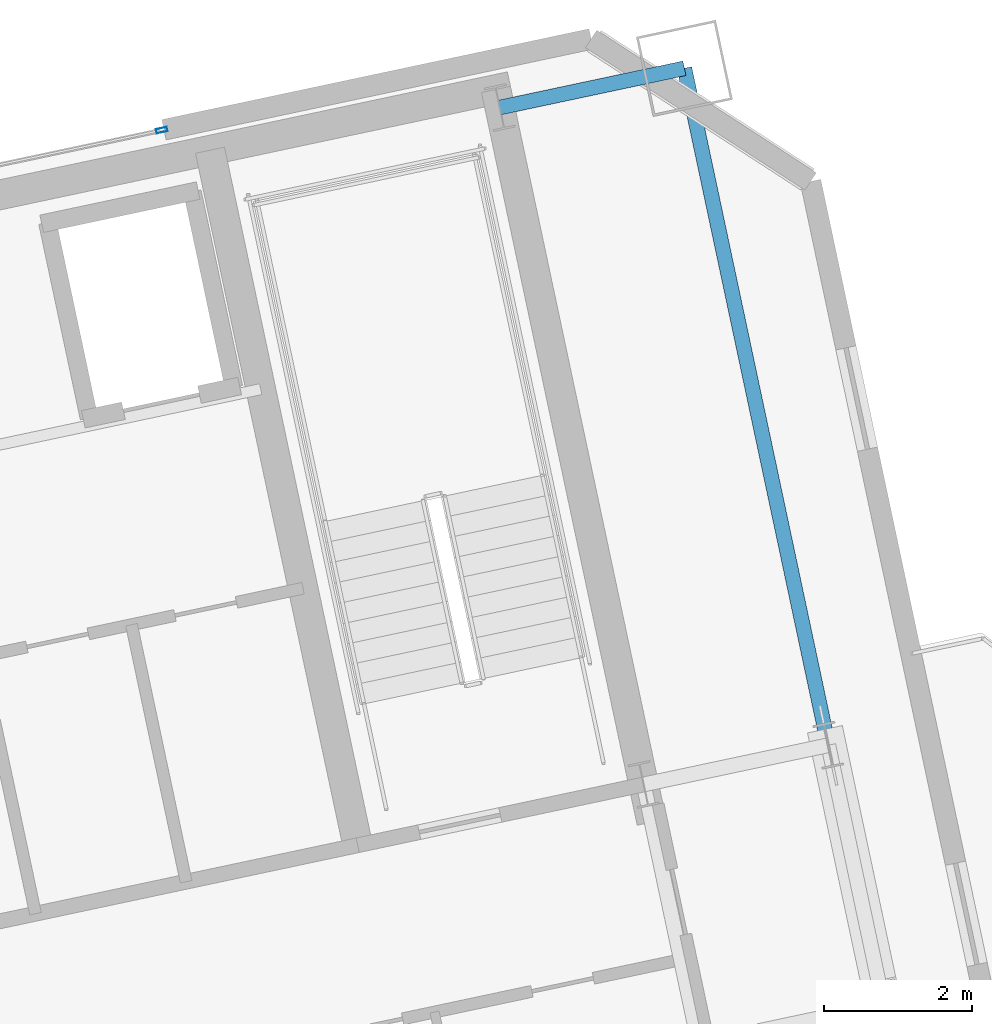
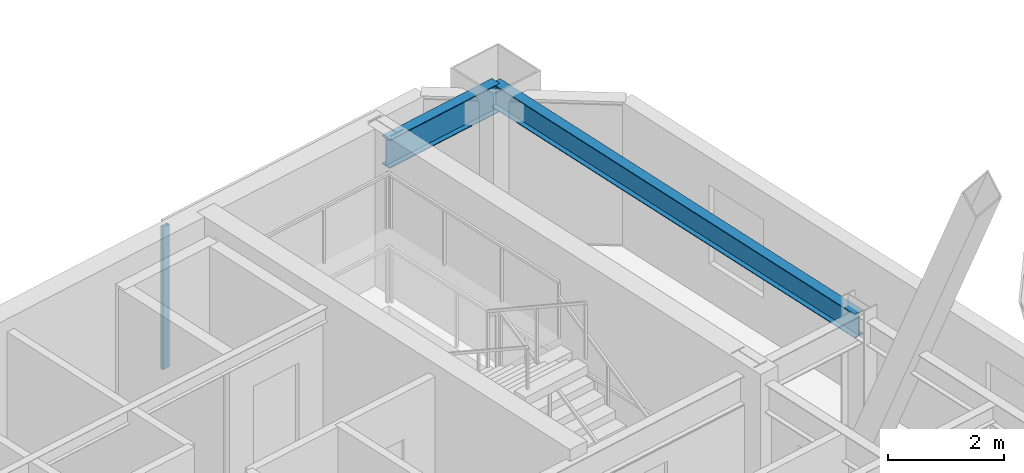
# One storey, part 7 of 19: 2 beams, 1 member, 1 element without a shape of its own.
"""IFC4 building model written with IfcOpenShell, lengths in metres."""

import ifcopenshell
import ifcopenshell.guid

model = None  # the IFC model being written
_history = None  # IfcOwnerHistory: only IFC2X3 demands one
_inside = {}  # id of a spatial element -> (the spatial element, [elements in it])
_under = {}  # id of a project, library or spatial element -> (it, [spatial elements below it])
_declared = {}  # id of a project -> (the project, [libraries it declares])
_typed = {}  # id of a type object -> (the type object, [elements of that type])
_made_of = {}  # id of a material, layer set ... -> (it, [elements and type objects made of it])


def new_model(schema):
    """Start an empty IFC model of exactly this schema.

    Asked for "IFC4X3", IfcOpenShell would pick the latest addendum, in which some entities
    have other attributes; the version numbers below select the first issue.
    IFC2X3 requires an IfcOwnerHistory on every rooted entity: one is made here for all.
    """
    global model, _history
    if schema == "IFC4X3":
        model = ifcopenshell.file(schema_version=(4, 3, 0, 0))
    else:
        model = ifcopenshell.file(schema=schema)
    _inside.clear()
    _under.clear()
    _declared.clear()
    _typed.clear()
    _made_of.clear()
    _history = None
    if model.schema == "IFC2X3":
        org = make("IfcOrganization", Name="unknown")
        user = make(
            "IfcPersonAndOrganization",
            ThePerson=make("IfcPerson", FamilyName="unknown"),
            TheOrganization=org,
        )
        app = make(
            "IfcApplication",
            ApplicationDeveloper=org,
            Version="unknown",
            ApplicationFullName="unknown",
            ApplicationIdentifier="unknown",
        )
        _history = make(
            "IfcOwnerHistory",
            OwningUser=user,
            OwningApplication=app,
            ChangeAction="ADDED",
            CreationDate=0,
        )
    return model


def make(cls, **values):
    """One entity of the class cls with the attributes given. An attribute that is None is left unset."""
    return model.create_entity(
        cls, **{name: value for name, value in values.items() if value is not None}
    )


def rooted(cls, **values):
    """An entity with a GlobalId (a new one), such as an element, a storey or a relation."""
    return make(cls, GlobalId=ifcopenshell.guid.new(), OwnerHistory=_history, **values)


def si_unit(unit_type, name, prefix=None):
    """IfcSIUnit, for example si_unit("LENGTHUNIT", "METRE", prefix="MILLI")."""
    return make("IfcSIUnit", UnitType=unit_type, Prefix=prefix, Name=name)


def assignment(units):
    """IfcUnitAssignment: the units of a project."""
    return None if units is None else make("IfcUnitAssignment", Units=units)


def point(xyz):
    """IfcCartesianPoint."""
    return None if xyz is None else make("IfcCartesianPoint", Coordinates=xyz)


def direction(xyz):
    """IfcDirection."""
    return None if xyz is None else make("IfcDirection", DirectionRatios=xyz)


def frame(location, z_axis=None, x_axis=None):
    """IfcAxis2Placement3D, a coordinate frame: its origin and axes. An axis left out is left unset."""
    return make(
        "IfcAxis2Placement3D",
        Location=point(location),
        Axis=direction(z_axis),
        RefDirection=direction(x_axis),
    )


def frame_2d(location, x_axis=None):
    """IfcAxis2Placement2D, a coordinate frame in the plane: its origin and x axis."""
    return make(
        "IfcAxis2Placement2D", Location=point(location), RefDirection=direction(x_axis)
    )


def origin():
    """The frame at (0, 0, 0) with its axes left unset."""
    return frame((0.0, 0.0, 0.0))


def origin_2d():
    """The frame at (0, 0) in the plane with its x axis left unset."""
    return frame_2d((0.0, 0.0))


def place(relative_to, where):
    """IfcLocalPlacement: puts the frame where relative to a parent placement (None: the world)."""
    return make(
        "IfcLocalPlacement", PlacementRelTo=relative_to, RelativePlacement=where
    )


def context(
    kind, dimensions, precision=None, world=None, true_north=None, identifier=None
):
    """IfcGeometricRepresentationContext, for example the 3D "Model" context."""
    return make(
        "IfcGeometricRepresentationContext",
        ContextIdentifier=identifier,
        ContextType=kind,
        CoordinateSpaceDimension=dimensions,
        Precision=precision,
        WorldCoordinateSystem=world,
        TrueNorth=true_north,
    )


def subcontext(parent, identifier, kind, view, scale=None):
    """IfcGeometricRepresentationSubContext, for example "Body" below "Model"."""
    return make(
        "IfcGeometricRepresentationSubContext",
        ContextIdentifier=identifier,
        ContextType=kind,
        ParentContext=parent,
        TargetScale=scale,
        TargetView=view,
    )


def project(units=None, contexts=None):
    """IfcProject with its units and contexts."""
    return rooted(
        "IfcProject",
        Name="project",
        RepresentationContexts=contexts,
        UnitsInContext=assignment(units),
    )


def spatial(cls, under=None, at=None, **own):
    """A site, building, storey or space (cls), placed at a placement, below another one or the project."""
    s = rooted(cls, ObjectPlacement=at, **own)
    if under is not None:
        _under.setdefault(under.id(), (under, []))[1].append(s)
    return s


def profile(cls, at=None, kind="AREA", **sizes):
    """A parametric profile (cls). Its sizes go by their IFC names, for example OverallWidth=200.0."""
    return make(cls, ProfileType=kind, Position=at, **sizes)


def hollow_rectangle(**sizes):
    """IfcRectangleHollowProfileDef."""
    return profile("IfcRectangleHollowProfileDef", **sizes)


def i_section(**sizes):
    """IfcIShapeProfileDef."""
    return profile("IfcIShapeProfileDef", **sizes)


def extrude(swept, where, along, depth):
    """IfcExtrudedAreaSolid: the profile swept, set in the frame where, extruded along a direction by depth."""
    return make(
        "IfcExtrudedAreaSolid",
        SweptArea=swept,
        Position=where,
        ExtrudedDirection=direction(along),
        Depth=depth,
    )


def shape(context_of_items, identifier, shape_type, items):
    """IfcShapeRepresentation: the items that make up one representation, for example the "Body"."""
    return make(
        "IfcShapeRepresentation",
        ContextOfItems=context_of_items,
        RepresentationIdentifier=identifier,
        RepresentationType=shape_type,
        Items=items,
    )


def material(Name=None, Category=None):
    """IfcMaterial."""
    return make("IfcMaterial", Name=Name, Category=Category)


def layer(
    of_material, thickness, ventilated=None, Name=None, Category=None, Priority=None
):
    """IfcMaterialLayer: one layer of a wall or slab, of a material (None: an air gap)."""
    return make(
        "IfcMaterialLayer",
        Material=of_material,
        LayerThickness=thickness,
        IsVentilated=ventilated,
        Name=Name,
        Category=Category,
        Priority=Priority,
    )


def layer_set(layers, Name=None):
    """IfcMaterialLayerSet."""
    return make("IfcMaterialLayerSet", MaterialLayers=layers, LayerSetName=Name)


def material_profile(
    of_material, cross_section, Name=None, Category=None, Priority=None
):
    """IfcMaterialProfile: a cross section and its material."""
    return make(
        "IfcMaterialProfile",
        Name=Name,
        Material=of_material,
        Profile=cross_section,
        Priority=Priority,
        Category=Category,
    )


def profile_set(profiles, Name=None, composite=None):
    """IfcMaterialProfileSet."""
    return make(
        "IfcMaterialProfileSet",
        Name=Name,
        MaterialProfiles=profiles,
        CompositeProfile=composite,
    )


def made_of(thing, what):
    """Note that an element or type object is made of a material, layer set ...; save() writes the relation."""
    if what is not None:
        _made_of.setdefault(what.id(), (what, []))[1].append(thing)
    return thing


def type_object(cls, material=None, **own):
    """A type object (cls), such as IfcWallType, which elements share."""
    return made_of(rooted(cls, **own), material)


def element(
    cls,
    number,
    at=None,
    inside=None,
    cuts=None,
    type_object=None,
    material=None,
    context=None,
    identifier="Body",
    shape_type=None,
    held_by="IfcProductDefinitionShape",
    body=None,
    shapes=None,
    **own,
):
    """One element of the class cls, such as IfcWall. Its Tag is "e" and its number.

    at: its placement. inside: the storey or other place that contains it. cuts: it is an
    opening in that element (IfcRelVoidsElement). A single representation is given by context,
    identifier, shape_type and body (its items); several are given by shapes. held_by: the class
    of the entity that holds the representations. save() writes the other relations.
    """
    e = rooted(cls, Tag="e%d" % number, ObjectPlacement=at, **own)
    if body is not None:
        shapes = [shape(context, identifier, shape_type, body)]
    if shapes is not None:
        e.Representation = make(held_by, Representations=shapes)
    if inside is not None:
        _inside.setdefault(inside.id(), (inside, []))[1].append(e)
    if cuts is not None:
        rooted(
            "IfcRelVoidsElement", RelatingBuildingElement=cuts, RelatedOpeningElement=e
        )
    if type_object is not None:
        _typed.setdefault(type_object.id(), (type_object, []))[1].append(e)
    return made_of(e, material)


def aggregate(whole, parts):
    """IfcRelAggregates: a whole, such as a stair, and the parts it consists of."""
    return rooted("IfcRelAggregates", RelatingObject=whole, RelatedObjects=parts)


def save(model, path):
    """Write the relations noted so far, then the file.

    IfcRelAggregates (storeys below a building ...), IfcRelContainedInSpatialStructure (elements
    in a storey), IfcRelDefinesByType, IfcRelAssociatesMaterial and IfcRelDeclares: one each for
    every whole, place, type object, material and project.
    """
    for whole, parts in _under.values():
        aggregate(whole, parts)
    for where, things in _inside.values():
        rooted(
            "IfcRelContainedInSpatialStructure",
            RelatedElements=things,
            RelatingStructure=where,
        )
    for kind, things in _typed.values():
        rooted("IfcRelDefinesByType", RelatedObjects=things, RelatingType=kind)
    for what, things in _made_of.values():
        rooted("IfcRelAssociatesMaterial", RelatedObjects=things, RelatingMaterial=what)
    for by, libraries in _declared.values():
        rooted("IfcRelDeclares", RelatingContext=by, RelatedDefinitions=libraries)
    model.write(path)


model = new_model("IFC4")

# Units and contexts
model_context = context("Model", 3, precision=1e-05, world=origin(), true_north=direction((0.0, 1.0)))
body_context = subcontext(model_context, "Body", "Model", "MODEL_VIEW")
ifc_project = project(units=[si_unit("LENGTHUNIT", "METRE"), si_unit("AREAUNIT", "SQUARE_METRE"), si_unit("VOLUMEUNIT", "CUBIC_METRE"), si_unit("PLANEANGLEUNIT", "RADIAN"), si_unit("MASSUNIT", "GRAM", prefix="KILO")], contexts=[model_context])

# Site, building, storey
site_placement = place(None, origin())
site = spatial("IfcSite", under=ifc_project, at=site_placement, CompositionType="ELEMENT")
building_placement = place(site_placement, origin())
building = spatial("IfcBuilding", under=site, at=building_placement, Name="Haevon Station Towers", CompositionType="ELEMENT")
storey_placement = place(building_placement, frame((0.0, 0.0, 218.699951171875)))
storey = spatial("IfcBuildingStorey", under=building, at=storey_placement, Name="L60", CompositionType="ELEMENT", Elevation=218.699951171875)

# Beams
ifc_material_1 = material(Name="Steel S355", Category="steel")
ifc_material_profile_1 = material_profile(ifc_material_1, i_section(OverallWidth=0.199951171875, OverallDepth=0.60009765625, WebThickness=0.010986328125, FlangeThickness=0.01708984375, at=origin_2d()), Name="H-600x200x11x17")
ifc_profile_set_1 = profile_set([ifc_material_profile_1], Name="Steel S355")
beam_type_1 = type_object("IfcBeamType", Name="BM-G600", PredefinedType="BEAM", material=ifc_profile_set_1)
beam_1_placement = place(storey_placement, frame((117.349365234375, 50.954345703125, 2.75), z_axis=(0.978161040728, 0.207848450565, 0.0), x_axis=(-0.207848450565, 0.978161040728, 0.0)))
element("IfcBeam", 1, at=beam_1_placement, inside=storey, type_object=beam_type_1, Name="BM-T2U-L60-03-04", PredefinedType="BEAM", context=body_context, shape_type="SweptSolid", body=[
    extrude(i_section(OverallWidth=0.199951171875, OverallDepth=0.60009765625, WebThickness=0.010986328125, FlangeThickness=0.01708984375, at=origin_2d()), origin(), (0.0, 0.0, 1.0), 2.550048828125),
])
ifc_material_profile_2 = material_profile(ifc_material_1, i_section(OverallWidth=0.199951171875, OverallDepth=0.5, WebThickness=0.010009765625, FlangeThickness=0.01611328125, at=origin_2d()), Name="H-500x200x10x16")
ifc_profile_set_2 = profile_set([ifc_material_profile_2], Name="Steel S355")
beam_type_2 = type_object("IfcBeamType", Name="BM-SP500", PredefinedType="SPANDREL", material=ifc_profile_set_2)
beam_2_placement = place(storey_placement, frame((121.787841796875, 42.338623046875, 2.800048828125), z_axis=(-0.207922149488, 0.978145377616, 0.0), x_axis=(-0.978145377616, -0.207922149488, 0.0)))
element("IfcBeam", 2, at=beam_2_placement, inside=storey, type_object=beam_type_2, Name="BM-T2V-L60-05-02", PredefinedType="SPANDREL", context=body_context, shape_type="SweptSolid", body=[
    extrude(i_section(OverallWidth=0.199951171875, OverallDepth=0.5, WebThickness=0.010009765625, FlangeThickness=0.01611328125, at=origin_2d()), origin(), (0.0, 0.0, 1.0), 9.35009765625),
])

# Curtain wall, member
ifc_material_2 = material(Name="Anodised aluminium and Low-E double glazing", Category="aluminium")
ifc_layer = layer(ifc_material_2, 0.179931640625)
ifc_layer_set = layer_set([ifc_layer], Name="Anodised aluminium and Low-E double glazing")
curtain_wall_type = type_object("IfcCurtainWallType", Name="CW-SYS5", PredefinedType="NOTDEFINED", material=ifc_layer_set)
curtain_wall_placement = place(storey_placement, origin())
curtain_wall = element("IfcCurtainWall", 3, at=curtain_wall_placement, inside=storey, type_object=curtain_wall_type, Name="L60 Curtain Wall CW-T2-L60-N", PredefinedType="NOTDEFINED")
ifc_material_3 = material(Name="Anodised aluminium 6063-T6", Category="aluminium")
ifc_material_profile_3 = material_profile(ifc_material_3, hollow_rectangle(XDim=0.06005859375, YDim=0.14990234375, WallThickness=0.00341796875, at=origin_2d()), Name="CWM-150x60x3.5")
ifc_profile_set_3 = profile_set([ifc_material_profile_3], Name="Anodised aluminium 6063-T6")
member_type = type_object("IfcMemberType", Name="CWM-150", PredefinedType="MULLION", material=ifc_profile_set_3)
member_placement = place(storey_placement, frame((112.783203125, 50.648193359375, 0.0), z_axis=(0.0, 0.0, 1.0), x_axis=(-0.207911783211, 0.978147581095, 0.0)))
member = element("IfcMember", 4, at=member_placement, type_object=member_type, Name="CW-SYS5 mullion 3", PredefinedType="MULLION", context=body_context, shape_type="SweptSolid", body=[
    extrude(hollow_rectangle(XDim=0.06005859375, YDim=0.14990234375, WallThickness=0.00341796875, at=origin_2d()), origin(), (0.0, 0.0, 1.0), 3.0),
])
aggregate(curtain_wall, [member])

save(model, "model.ifc")
